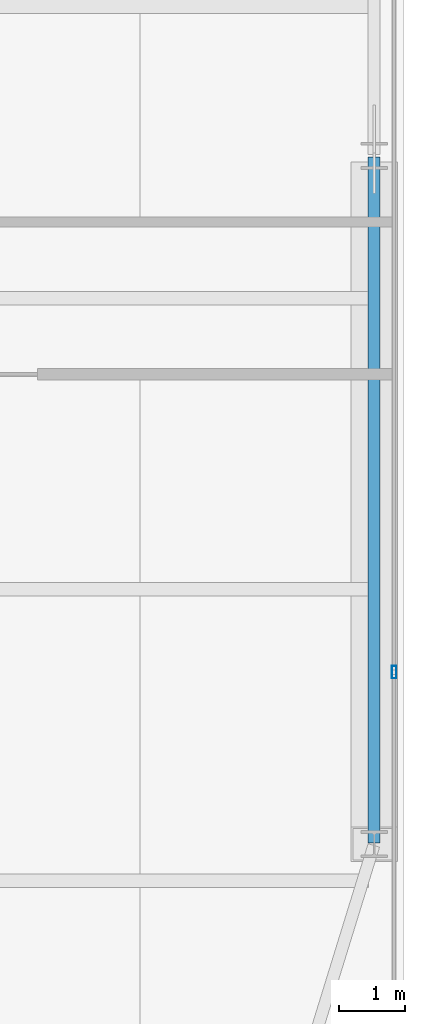
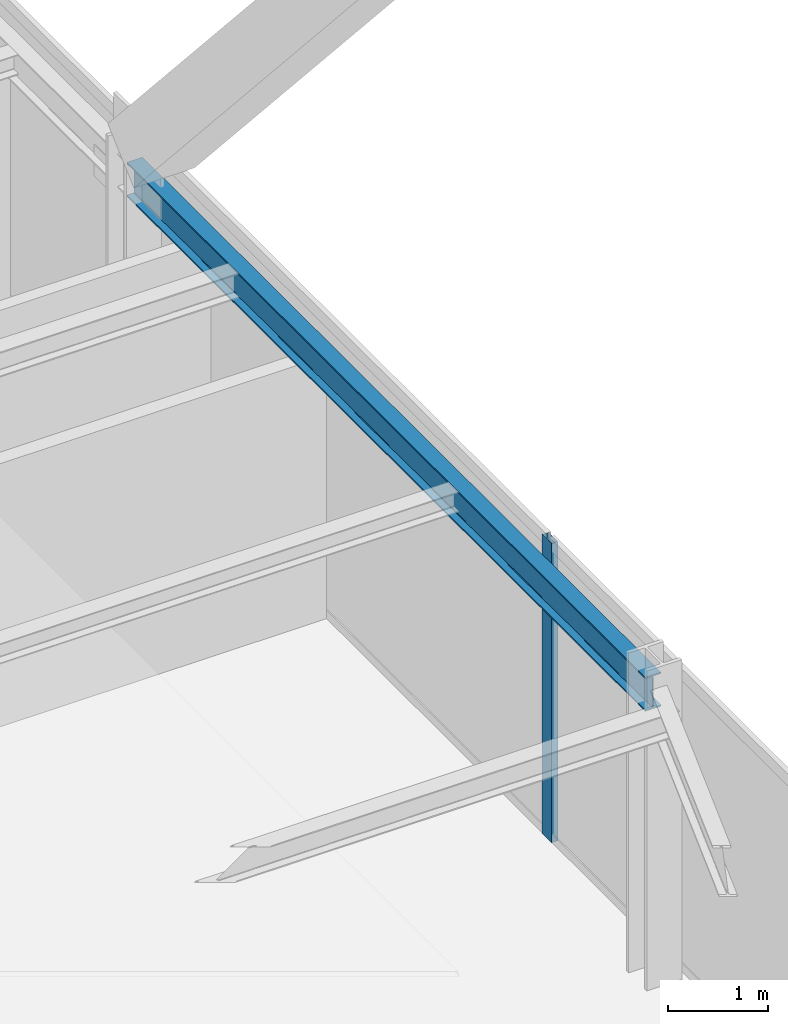
# One storey, part 17 of 35: 1 beam, 1 member, 1 element without a shape of its own.
"""IFC4 building model written with IfcOpenShell, lengths in metres."""

from ifc_helpers import new_model, si_unit, direction, frame, origin, origin_2d, place, context, subcontext, project, spatial, hollow_rectangle, i_section, extrude, source, transform, mapped, material, layer, layer_set, material_profile, profile_set, type_object, type_shapes, element, aggregate, save


model = new_model("IFC4")

# Units and contexts
model_context = context("Model", 3, precision=1e-05, world=origin(), true_north=direction((0.0, 1.0)))
body_context = subcontext(model_context, "Body", "Model", "MODEL_VIEW")
ifc_project = project(units=[si_unit("LENGTHUNIT", "METRE"), si_unit("AREAUNIT", "SQUARE_METRE"), si_unit("VOLUMEUNIT", "CUBIC_METRE"), si_unit("PLANEANGLEUNIT", "RADIAN"), si_unit("MASSUNIT", "GRAM", prefix="KILO")], contexts=[model_context])

# Site, building, storey
site_placement = place(None, origin())
site = spatial("IfcSite", under=ifc_project, at=site_placement, CompositionType="ELEMENT")
building_placement = place(site_placement, origin())
building = spatial("IfcBuilding", under=site, at=building_placement, Name="Varnel Quay Broadcast Tower", CompositionType="ELEMENT")
storey_placement = place(building_placement, frame((0.0, 0.0, 66.60009765625)))
storey = spatial("IfcBuildingStorey", under=building, at=storey_placement, Name="L15", CompositionType="ELEMENT", Elevation=66.60009765625)

# Beam
ifc_material_1 = material(Name="Structural Steel CSA G40.21 350W", Category="steel")
ifc_material_profile_1 = material_profile(ifc_material_1, i_section(OverallWidth=0.180908203125, OverallDepth=0.4169921875, WebThickness=0.010986328125, FlangeThickness=0.018310546875, FilletRadius=0.011962890625, at=origin_2d()), Name="W410X85")
ifc_profile_set_1 = profile_set([ifc_material_profile_1], Name="Structural Steel CSA G40.21 350W")
beam_type = type_object("IfcBeamType", Name="Beam_W410X85", PredefinedType="SPANDREL", material=ifc_profile_set_1)
shared_shape_1 = source(origin(), body_context, "Body", "SweptSolid", [
    extrude(i_section(OverallWidth=0.180908203125, OverallDepth=0.4169921875, WebThickness=0.010986328125, FlangeThickness=0.018310546875, FilletRadius=0.011962890625, at=origin_2d()), origin(), (0.0, 0.0, 1.0), 10.35986328125),
])
type_shapes(beam_type, [shared_shape_1])
beam_placement = place(storey_placement, frame((65.550048828125, 15.02001953125, 3.44140625), z_axis=(0.0, 1.0, 0.0), x_axis=(-1.0, 0.0, 0.0)))
element("IfcBeam", 1, at=beam_placement, inside=storey, type_object=beam_type, Name="L15 East Spandrel TC-E1-TC-E2", PredefinedType="SPANDREL", context=body_context, shape_type="MappedRepresentation", body=[
    mapped(shared_shape_1, transform((0.0, 0.0, 0.0), x_axis=(1.0, 0.0, 0.0), y_axis=(0.0, 1.0, 0.0), z_axis=(0.0, 0.0, 1.0), scale=1.0)),
])

# Curtain wall, member
ifc_material_2 = material(Name="Anodised Bronze Aluminium 6063-T6", Category="aluminium")
ifc_layer = layer(ifc_material_2, 0.18994140625, Name="Anodised Bronze Aluminium 6063-T6")
ifc_layer_set = layer_set([ifc_layer], Name="Anodised Bronze Aluminium 6063-T6")
curtain_wall_type = type_object("IfcCurtainWallType", Name="CW_LowerTower", PredefinedType="NOTDEFINED", material=ifc_layer_set)
curtain_wall_placement = place(storey_placement, origin())
curtain_wall = element("IfcCurtainWall", 2, at=curtain_wall_placement, inside=storey, type_object=curtain_wall_type, Name="L15 East Unitised Curtain Wall", PredefinedType="NOTDEFINED")
ifc_material_profile_2 = material_profile(ifc_material_2, hollow_rectangle(XDim=0.070068359375, YDim=0.18994140625, WallThickness=0.00390625, at=origin_2d()), Name="ALU70X190X4")
ifc_profile_set_2 = profile_set([ifc_material_profile_2], Name="Anodised Bronze Aluminium 6063-T6")
member_type = type_object("IfcMemberType", Name="Mull_CWS-02", PredefinedType="MULLION", material=ifc_profile_set_2)
shared_shape_2 = source(origin(), body_context, "Body", "SweptSolid", [
    extrude(hollow_rectangle(XDim=0.070068359375, YDim=0.18994140625, WallThickness=0.00390625, at=origin_2d()), origin(), (0.0, 0.0, 1.0), 3.64990234375),
])
type_shapes(member_type, [shared_shape_2])
member_placement = place(storey_placement, frame((65.85009765625, 17.60009765625, 0.0), z_axis=(0.0, 0.0, 1.0), x_axis=(-1.0, 0.0, 0.0)))
member = element("IfcMember", 3, at=member_placement, type_object=member_type, Name="CWS-02 mullion 2", PredefinedType="MULLION", context=body_context, shape_type="MappedRepresentation", body=[
    mapped(shared_shape_2, transform((0.0, 0.0, 0.0), x_axis=(1.0, 0.0, 0.0), y_axis=(0.0, 1.0, 0.0), z_axis=(0.0, 0.0, 1.0), scale=1.0)),
])
aggregate(curtain_wall, [member])

save(model, "model.ifc")
